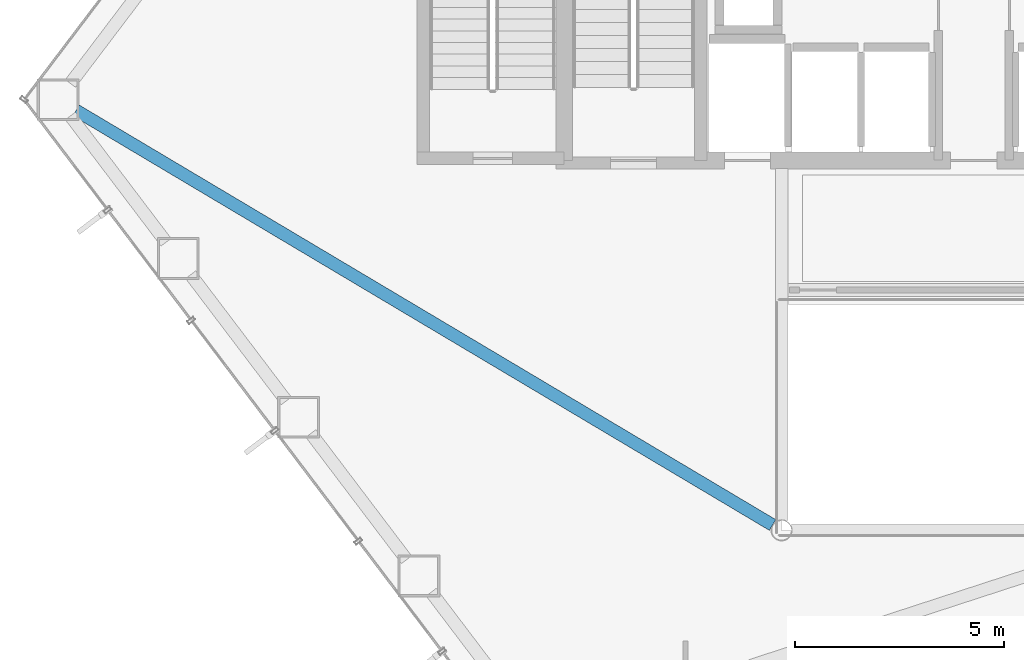
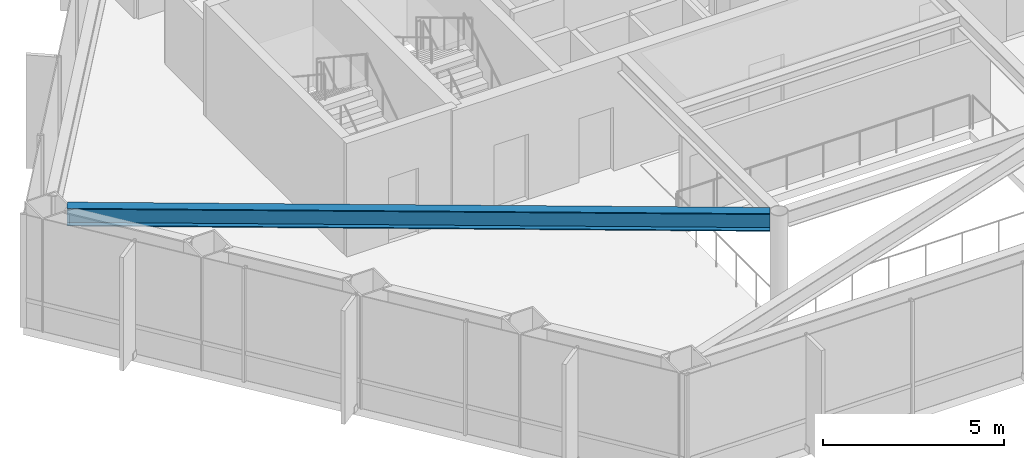
# One storey, part 5 of 25: 1 beam.
"""IFC4 building model written with IfcOpenShell, lengths in metres."""

from ifc_helpers import new_model, si_unit, direction, frame, origin, origin_2d, place, context, subcontext, project, spatial, i_section, extrude, material, material_profile, profile_set, type_object, element, save


model = new_model("IFC4")

# Units and contexts
model_context = context("Model", 3, precision=1e-05, world=origin(), true_north=direction((0.0, 1.0)))
body_context = subcontext(model_context, "Body", "Model", "MODEL_VIEW")
ifc_project = project(units=[si_unit("LENGTHUNIT", "METRE"), si_unit("AREAUNIT", "SQUARE_METRE"), si_unit("VOLUMEUNIT", "CUBIC_METRE"), si_unit("PLANEANGLEUNIT", "RADIAN"), si_unit("MASSUNIT", "GRAM", prefix="KILO")], contexts=[model_context])

# Site, building, storey
site_placement = place(None, origin())
site = spatial("IfcSite", under=ifc_project, at=site_placement, CompositionType="ELEMENT")
building_placement = place(site_placement, origin())
building = spatial("IfcBuilding", under=site, at=building_placement, Name="Zarrinselat Tower", CompositionType="ELEMENT")
storey_placement = place(building_placement, frame((0.0, 0.0, 52.02001953125)))
storey = spatial("IfcBuildingStorey", under=building, at=storey_placement, Name="L12", CompositionType="ELEMENT", Elevation=52.02001953125)

# Beam
ifc_material = material(Name="Steel S355J2", Category="steel")
ifc_material_profile = material_profile(ifc_material, i_section(OverallWidth=0.300048828125, OverallDepth=0.60009765625, WebThickness=0.015380859375, FlangeThickness=0.030029296875, at=origin_2d()), Name="HEB 600")
ifc_profile_set = profile_set([ifc_material_profile], Name="Steel S355J2")
beam_type = type_object("IfcBeamType", Name="BM-HEB600", PredefinedType="BEAM", material=ifc_profile_set)
beam_placement = place(storey_placement, frame((16.923828125, 34.4453125, 3.52001953125), z_axis=(0.859293016173, -0.511483638405, 0.0), x_axis=(0.511483638405, 0.859293016173, 0.0)))
element("IfcBeam", 1, at=beam_placement, inside=storey, type_object=beam_type, Name="L12 Radial Primary Girder RG06", PredefinedType="BEAM", context=body_context, shape_type="SweptSolid", body=[
    extrude(i_section(OverallWidth=0.300048828125, OverallDepth=0.60009765625, WebThickness=0.015380859375, FlangeThickness=0.030029296875, at=origin_2d()), origin(), (0.0, 0.0, 1.0), 19.3896484375),
])

save(model, "model.ifc")
